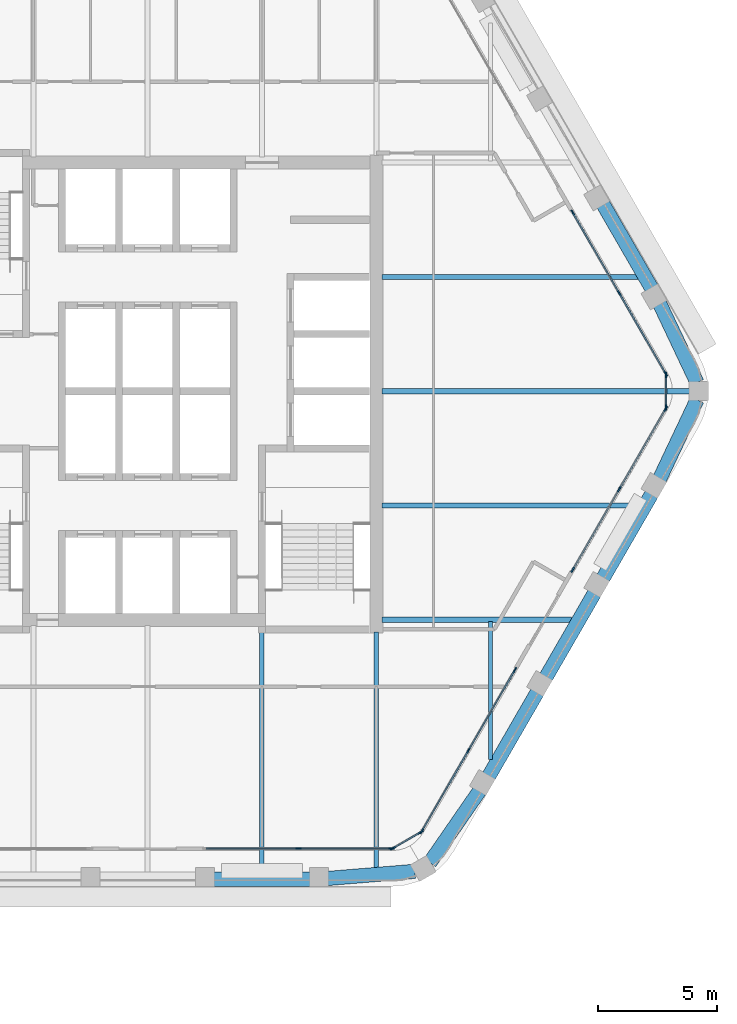
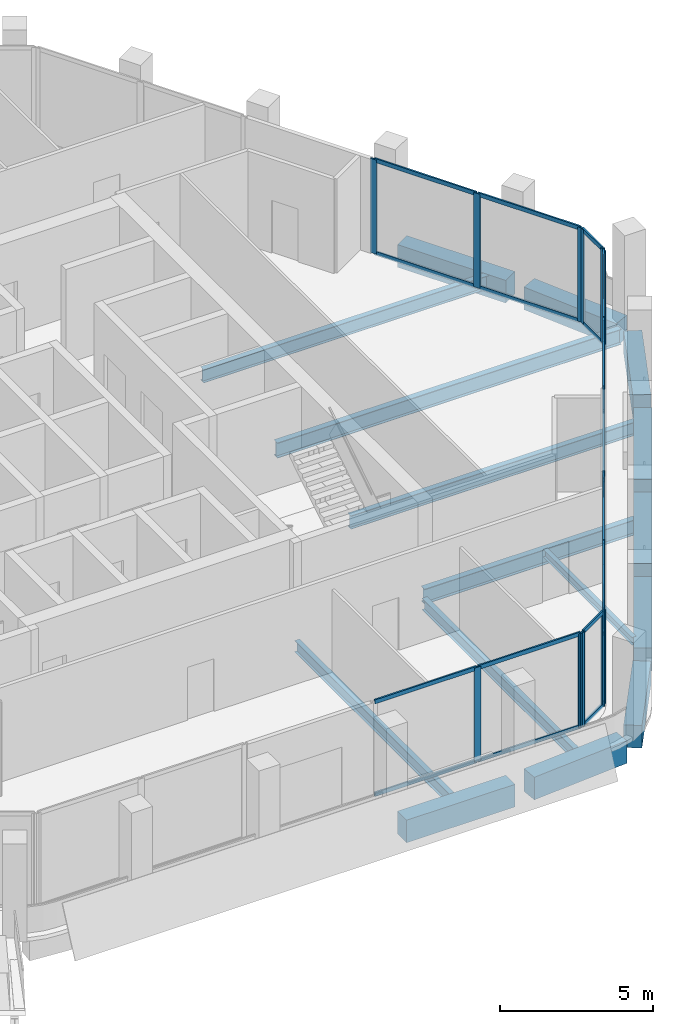
# One storey, part 4 of 15: 35 members, 16 beams, 6 elements without a shape of their own.
"""IFC4 building model written with IfcOpenShell, lengths in metres."""

from ifc_helpers import new_model, si_unit, direction, frame, origin, origin_2d, place, context, subcontext, project, spatial, rectangle, i_section, extrude, material, material_profile, profile_set, type_object, element, aggregate, save


model = new_model("IFC4")

# Units and contexts
model_context = context("Model", 3, precision=1e-05, world=origin(), true_north=direction((0.0, 1.0)))
body_context = subcontext(model_context, "Body", "Model", "MODEL_VIEW")
ifc_project = project(units=[si_unit("LENGTHUNIT", "METRE"), si_unit("AREAUNIT", "SQUARE_METRE"), si_unit("VOLUMEUNIT", "CUBIC_METRE"), si_unit("PLANEANGLEUNIT", "RADIAN"), si_unit("MASSUNIT", "GRAM", prefix="KILO")], contexts=[model_context])

# Site, building, storey
site_placement = place(None, origin())
site = spatial("IfcSite", under=ifc_project, at=site_placement, CompositionType="ELEMENT")
building_placement = place(site_placement, origin())
building = spatial("IfcBuilding", under=site, at=building_placement, Name="Kolab Exchange Tower", CompositionType="ELEMENT")
storey_placement = place(building_placement, frame((0.0, 0.0, 238.39990234375)))
storey = spatial("IfcBuildingStorey", under=building, at=storey_placement, Name="L52", CompositionType="ELEMENT", Elevation=238.39990234375)

# Beams
ifc_material_1 = material(Name="Steel S355", Category="steel")
ifc_material_profile_1 = material_profile(ifc_material_1, i_section(OverallWidth=0.1650390625, OverallDepth=0.31005859375, WebThickness=0.005859375, FlangeThickness=0.009765625, at=origin_2d()), Name="W310X39")
ifc_profile_set_1 = profile_set([ifc_material_profile_1], Name="Steel S355")
beam_type_1 = type_object("IfcBeamType", Name="FLOOR BEAM W310X39", PredefinedType="BEAM", material=ifc_profile_set_1)
beam_1_placement = place(storey_placement, frame((14.39990234375, -15.4677734375, -0.304931640625), z_axis=(0.0, 1.0, 0.0), x_axis=(-1.0, 0.0, 0.0)))
element("IfcBeam", 1, at=beam_1_placement, inside=storey, type_object=beam_type_1, Name="beam/L52/fr/023", PredefinedType="BEAM", context=body_context, shape_type="SweptSolid", body=[
    extrude(i_section(OverallWidth=0.1650390625, OverallDepth=0.31005859375, WebThickness=0.005859375, FlangeThickness=0.009765625, at=origin_2d()), origin(), (0.0, 0.0, 1.0), 5.793701171875),
])
ifc_material_profile_2 = material_profile(ifc_material_1, i_section(OverallWidth=0.18994140625, OverallDepth=0.45703125, WebThickness=0.009033203125, FlangeThickness=0.014404296875, at=origin_2d()), Name="W460X74")
ifc_profile_set_2 = profile_set([ifc_material_profile_2], Name="Steel S355")
beam_type_2 = type_object("IfcBeamType", Name="FLOOR BEAM W460X74", PredefinedType="BEAM", material=ifc_profile_set_2)
beam_2_placement = place(storey_placement, frame((4.800048828125, -20.224609375, -0.37841796875), z_axis=(0.0, 1.0, 0.0), x_axis=(-1.0, 0.0, 0.0)))
element("IfcBeam", 2, at=beam_2_placement, inside=storey, type_object=beam_type_2, Name="beam/L52/fr/016", PredefinedType="BEAM", context=body_context, shape_type="SweptSolid", body=[
    extrude(i_section(OverallWidth=0.18994140625, OverallDepth=0.45703125, WebThickness=0.009033203125, FlangeThickness=0.014404296875, at=origin_2d()), origin(), (0.0, 0.0, 1.0), 10.114501953125),
])
beam_3_placement = place(storey_placement, frame((9.60009765625, -20.027099609375, -0.37841796875), z_axis=(0.0, 1.0, 0.0), x_axis=(-1.0, 0.0, 0.0)))
element("IfcBeam", 3, at=beam_3_placement, inside=storey, type_object=beam_type_2, Name="beam/L52/fr/018", PredefinedType="BEAM", context=body_context, shape_type="SweptSolid", body=[
    extrude(i_section(OverallWidth=0.18994140625, OverallDepth=0.45703125, WebThickness=0.009033203125, FlangeThickness=0.014404296875, at=origin_2d()), origin(), (0.0, 0.0, 1.0), 9.9169921875),
])
ifc_material_profile_3 = material_profile(ifc_material_1, i_section(OverallWidth=0.208984375, OverallDepth=0.532958984375, WebThickness=0.01025390625, FlangeThickness=0.015625, at=origin_2d()), Name="W530X92")
ifc_profile_set_3 = profile_set([ifc_material_profile_3], Name="Steel S355")
beam_type_3 = type_object("IfcBeamType", Name="FLOOR BEAM W530X92", PredefinedType="BEAM", material=ifc_profile_set_3)
for number, where, z_axis, x_axis, name in (
    (4, (9.8349609375, -4.800048828125, -0.41650390625), (1.0, 0.0, 0.0), (0.0, 1.0, 0.0), "beam/L52/fr/020"),
    (5, (9.8349609375, 4.800048828125, -0.41650390625), (1.0, 0.0, 0.0), (0.0, 1.0, 0.0), "beam/L52/fr/022"),
):
    element("IfcBeam", number, at=place(storey_placement, frame(where, z_axis=z_axis, x_axis=x_axis)), inside=storey, type_object=beam_type_3, Name=name, PredefinedType="BEAM", context=body_context, shape_type="SweptSolid", body=[
        extrude(i_section(OverallWidth=0.208984375, OverallDepth=0.532958984375, WebThickness=0.01025390625, FlangeThickness=0.015625, at=origin_2d()), origin(), (0.0, 0.0, 1.0), 10.740966796875),
    ])
ifc_material_profile_4 = material_profile(ifc_material_1, i_section(OverallWidth=0.22802734375, OverallDepth=0.60791015625, WebThickness=0.01123046875, FlangeThickness=0.017333984375, at=origin_2d()), Name="W610X113")
ifc_profile_set_4 = profile_set([ifc_material_profile_4], Name="Steel S355")
beam_type_4 = type_object("IfcBeamType", Name="FLOOR BEAM W610X113", PredefinedType="BEAM", material=ifc_profile_set_4)
beam_4_placement = place(storey_placement, frame((9.8349609375, 0.0, -0.453857421875), z_axis=(1.0, 0.0, 0.0), x_axis=(0.0, 1.0, 0.0)))
element("IfcBeam", 6, at=beam_4_placement, inside=storey, type_object=beam_type_4, Name="beam/L52/fr/021", PredefinedType="BEAM", context=body_context, shape_type="SweptSolid", body=[
    extrude(i_section(OverallWidth=0.22802734375, OverallDepth=0.60791015625, WebThickness=0.01123046875, FlangeThickness=0.017333984375, at=origin_2d()), origin(), (0.0, 0.0, 1.0), 12.94091796875),
])
ifc_material_profile_5 = material_profile(ifc_material_1, i_section(OverallWidth=0.22802734375, OverallDepth=0.60791015625, WebThickness=0.01123046875, FlangeThickness=0.017333984375, at=origin_2d()), Name="W610X113")
ifc_profile_set_5 = profile_set([ifc_material_profile_5], Name="Steel S355")
beam_type_5 = type_object("IfcBeamType", Name="FLOOR GIRDER W610X113", PredefinedType="BEAM", material=ifc_profile_set_5)
beam_5_placement = place(storey_placement, frame((9.8349609375, -9.60009765625, -0.453857421875), z_axis=(1.0, 0.0, 0.0), x_axis=(0.0, 1.0, 0.0)))
element("IfcBeam", 7, at=beam_5_placement, inside=storey, type_object=beam_type_5, Name="beam/L52/gd/002", PredefinedType="BEAM", context=body_context, shape_type="SweptSolid", body=[
    extrude(i_section(OverallWidth=0.22802734375, OverallDepth=0.60791015625, WebThickness=0.01123046875, FlangeThickness=0.017333984375, at=origin_2d()), origin(), (0.0, 0.0, 1.0), 7.9697265625),
])
ifc_material_2 = material(Name="Concrete C50/60", Category="concrete")
ifc_material_profile_6 = material_profile(ifc_material_2, rectangle(XDim=0.60009765625, YDim=0.89990234375, at=origin_2d()), Name="RC600X900")
ifc_profile_set_6 = profile_set([ifc_material_profile_6], Name="Concrete C50/60")
beam_type_6 = type_object("IfcBeamType", Name="SPANDREL BEAM 600X900 C50/60", PredefinedType="BEAM", material=ifc_profile_set_6)
beam_6_placement = place(storey_placement, frame((19.1201171875, 7.85205078125, -0.599853515625), z_axis=(0.500000428765, -0.866025156237, 0.0), x_axis=(0.866025156237, 0.500000428765, 0.0)))
element("IfcBeam", 8, at=beam_6_placement, inside=storey, type_object=beam_type_6, Name="beam/L52/sp/F2-04", PredefinedType="BEAM", context=body_context, shape_type="SweptSolid", body=[
    extrude(rectangle(XDim=0.60009765625, YDim=0.89990234375, at=origin_2d()), origin(), (0.0, 0.0, 1.0), 4.080078125),
])
for number, where, z_axis, x_axis, name in (
    (9, (21.49462890625, 3.68017578125, -0.599853515625), (0.427677251998, -0.903931506323, 0.0), (0.903931506323, 0.427677251998, 0.0), "beam/L52/sp/F2-05"),
    (10, (23.063720703125, -0.36376953125, -0.599853515625), (-0.427677251998, -0.903931506323, 0.0), (0.903931506323, -0.427677251998, 0.0), "beam/L52/sp/F3-01"),
):
    element("IfcBeam", number, at=place(storey_placement, frame(where, z_axis=z_axis, x_axis=x_axis)), inside=storey, type_object=beam_type_6, Name=name, PredefinedType="BEAM", context=body_context, shape_type="SweptSolid", body=[
        extrude(rectangle(XDim=0.60009765625, YDim=0.89990234375, at=origin_2d()), origin(), (0.0, 0.0, 1.0), 3.6689453125),
    ])
for number, where, z_axis, x_axis, name in (
    (11, (21.16015625, -4.318603515625, -0.599853515625), (-0.500000428765, -0.866025156237, 0.0), (0.866025156237, -0.500000428765, 0.0), "beam/L52/sp/F3-02"),
    (12, (18.76025390625, -8.4755859375, -0.599853515625), (-0.500000428765, -0.866025156237, 0.0), (0.866025156237, -0.500000428765, 0.0), "beam/L52/sp/F3-03"),
):
    element("IfcBeam", number, at=place(storey_placement, frame(where, z_axis=z_axis, x_axis=x_axis)), inside=storey, type_object=beam_type_6, Name=name, PredefinedType="BEAM", context=body_context, shape_type="SweptSolid", body=[
        extrude(rectangle(XDim=0.60009765625, YDim=0.89990234375, at=origin_2d()), origin(), (0.0, 0.0, 1.0), 4.080078125),
    ])
beam_7_placement = place(storey_placement, frame((16.360107421875, -12.632568359375, -0.599853515625), z_axis=(-0.499955548806, -0.866051066172, 0.0), x_axis=(0.866051066172, -0.499955548806, 0.0)))
element("IfcBeam", 13, at=beam_7_placement, inside=storey, type_object=beam_type_6, Name="beam/L52/sp/F3-04", PredefinedType="BEAM", context=body_context, shape_type="SweptSolid", body=[
    extrude(rectangle(XDim=0.60009765625, YDim=0.89990234375, at=origin_2d()), origin(), (0.0, 0.0, 1.0), 4.079833984375),
])
for number, where, z_axis, x_axis, name in (
    (14, (13.9345703125, -16.77490234375, -0.599853515625), (-0.569005808573, -0.822333502789, 0.0), (0.822333502789, -0.569005808573, 0.0), "beam/L52/sp/F3-05"),
    (15, (11.216796875, -20.15576171875, -0.599853515625), (-0.996666751878, -0.081580547323, 0.0), (0.081580547323, -0.996666751878, 0.0), "beam/L52/sp/F4-01"),
):
    element("IfcBeam", number, at=place(storey_placement, frame(where, z_axis=z_axis, x_axis=x_axis)), inside=storey, type_object=beam_type_6, Name=name, PredefinedType="BEAM", context=body_context, shape_type="SweptSolid", body=[
        extrude(rectangle(XDim=0.60009765625, YDim=0.89990234375, at=origin_2d()), origin(), (0.0, 0.0, 1.0), 3.6689453125),
    ])
beam_8_placement = place(storey_placement, frame((6.840087890625, -20.484619140625, -0.599853515625), z_axis=(-1.0, 0.0, 0.0), x_axis=(0.0, -1.0, 0.0)))
element("IfcBeam", 16, at=beam_8_placement, inside=storey, type_object=beam_type_6, Name="beam/L52/sp/F4-02", PredefinedType="BEAM", context=body_context, shape_type="SweptSolid", body=[
    extrude(rectangle(XDim=0.60009765625, YDim=0.89990234375, at=origin_2d()), origin(), (0.0, 0.0, 1.0), 4.080078125),
])

# Curtain wall, members
ifc_material_3 = material(Name="Aluminium EN AW-6063 T6", Category="aluminium")
curtain_wall_type = type_object("IfcCurtainWallType", Name="UNITISED HIGH ZONE CURTAIN WALL", PredefinedType="NOTDEFINED", material=ifc_material_3)
curtain_wall_1_placement = place(storey_placement, origin())
curtain_wall_1 = element("IfcCurtainWall", 17, at=curtain_wall_1_placement, inside=storey, type_object=curtain_wall_type, Name="cw/L52/F2-2", PredefinedType="NOTDEFINED")
ifc_material_profile_7 = material_profile(ifc_material_3, rectangle(XDim=0.06005859375, YDim=0.239990234375, at=origin_2d()), Name="RECT 60X240")
ifc_profile_set_7 = profile_set([ifc_material_profile_7], Name="Aluminium EN AW-6063 T6")
member_type_1 = type_object("IfcMemberType", Name="UNITISED HIGH ZONE MULLION 60 X 240", PredefinedType="MULLION", material=ifc_profile_set_7)
member_1_placement = place(storey_placement, frame((17.8466796875, 7.497802734375, 0.0), z_axis=(0.0, 0.0, 1.0), x_axis=(0.866025440524, 0.499999936366, 0.0)))
member_1 = element("IfcMember", 18, at=member_1_placement, type_object=member_type_1, Name="CW4 mullion 1", PredefinedType="MULLION", context=body_context, shape_type="SweptSolid", body=[
    extrude(rectangle(XDim=0.06005859375, YDim=0.239990234375, at=origin_2d()), origin(), (0.0, 0.0, 1.0), 3.75),
])
member_2_placement = place(storey_placement, frame((19.798583984375, 4.116943359375, 0.0), z_axis=(0.0, 0.0, 1.0), x_axis=(0.866025440524, 0.499999936366, 0.0)))
member_2 = element("IfcMember", 19, at=member_2_placement, type_object=member_type_1, Name="CW4 mullion 2", PredefinedType="MULLION", context=body_context, shape_type="SweptSolid", body=[
    extrude(rectangle(XDim=0.06005859375, YDim=0.239990234375, at=origin_2d()), origin(), (0.0, 0.0, 1.0), 3.75),
])
member_3_placement = place(storey_placement, frame((21.750732421875, 0.736083984375, 0.0), z_axis=(0.0, 0.0, 1.0), x_axis=(0.866025440524, 0.499999936366, 0.0)))
member_3 = element("IfcMember", 20, at=member_3_placement, type_object=member_type_1, Name="CW4 mullion 3", PredefinedType="MULLION", context=body_context, shape_type="SweptSolid", body=[
    extrude(rectangle(XDim=0.06005859375, YDim=0.239990234375, at=origin_2d()), origin(), (0.0, 0.0, 1.0), 3.75),
])

curtain_wall_2_placement = place(storey_placement, origin())
curtain_wall_2 = element("IfcCurtainWall", 21, at=curtain_wall_2_placement, inside=storey, type_object=curtain_wall_type, Name="cw/L52/F3-1", PredefinedType="NOTDEFINED")
member_4_placement = place(storey_placement, frame((21.750732421875, -0.736083984375, 0.0), z_axis=(0.0, 0.0, 1.0), x_axis=(0.866025440524, -0.499999936366, 0.0)))
member_4 = element("IfcMember", 22, at=member_4_placement, type_object=member_type_1, Name="CW4 mullion 1", PredefinedType="MULLION", context=body_context, shape_type="SweptSolid", body=[
    extrude(rectangle(XDim=0.06005859375, YDim=0.239990234375, at=origin_2d()), origin(), (0.0, 0.0, 1.0), 3.75),
])
member_5_placement = place(storey_placement, frame((19.798583984375, -4.116943359375, 0.0), z_axis=(0.0, 0.0, 1.0), x_axis=(0.866025440524, -0.499999936366, 0.0)))
member_5 = element("IfcMember", 23, at=member_5_placement, type_object=member_type_1, Name="CW4 mullion 2", PredefinedType="MULLION", context=body_context, shape_type="SweptSolid", body=[
    extrude(rectangle(XDim=0.06005859375, YDim=0.239990234375, at=origin_2d()), origin(), (0.0, 0.0, 1.0), 3.75),
])
member_6_placement = place(storey_placement, frame((17.8466796875, -7.497802734375, 0.0), z_axis=(0.0, 0.0, 1.0), x_axis=(0.866025440524, -0.499999936366, 0.0)))
member_6 = element("IfcMember", 24, at=member_6_placement, type_object=member_type_1, Name="CW4 mullion 3", PredefinedType="MULLION", context=body_context, shape_type="SweptSolid", body=[
    extrude(rectangle(XDim=0.06005859375, YDim=0.239990234375, at=origin_2d()), origin(), (0.0, 0.0, 1.0), 3.75),
])

curtain_wall_3_placement = place(storey_placement, origin())
curtain_wall_3 = element("IfcCurtainWall", 25, at=curtain_wall_3_placement, inside=storey, type_object=curtain_wall_type, Name="cw/L52/F3-2", PredefinedType="NOTDEFINED")
member_7_placement = place(storey_placement, frame((15.416748046875, -11.706787109375, 0.0), z_axis=(0.0, 0.0, 1.0), x_axis=(0.866025385493, -0.500000031681, 0.0)))
member_7 = element("IfcMember", 26, at=member_7_placement, type_object=member_type_1, Name="CW4 mullion 1", PredefinedType="MULLION", context=body_context, shape_type="SweptSolid", body=[
    extrude(rectangle(XDim=0.06005859375, YDim=0.239990234375, at=origin_2d()), origin(), (0.0, 0.0, 1.0), 3.75),
])
member_8_placement = place(storey_placement, frame((13.464599609375, -15.087646484375, 0.0), z_axis=(0.0, 0.0, 1.0), x_axis=(0.866025385493, -0.500000031681, 0.0)))
member_8 = element("IfcMember", 27, at=member_8_placement, type_object=member_type_1, Name="CW4 mullion 2", PredefinedType="MULLION", context=body_context, shape_type="SweptSolid", body=[
    extrude(rectangle(XDim=0.06005859375, YDim=0.239990234375, at=origin_2d()), origin(), (0.0, 0.0, 1.0), 3.75),
])
member_9_placement = place(storey_placement, frame((11.5126953125, -18.46875, 0.0), z_axis=(0.0, 0.0, 1.0), x_axis=(0.866025385493, -0.500000031681, 0.0)))
member_9 = element("IfcMember", 28, at=member_9_placement, type_object=member_type_1, Name="CW4 mullion 3", PredefinedType="MULLION", context=body_context, shape_type="SweptSolid", body=[
    extrude(rectangle(XDim=0.06005859375, YDim=0.239990234375, at=origin_2d()), origin(), (0.0, 0.0, 1.0), 3.75),
])

curtain_wall_4_placement = place(storey_placement, origin())
curtain_wall_4 = element("IfcCurtainWall", 29, at=curtain_wall_4_placement, inside=storey, type_object=curtain_wall_type, Name="cw/L52/F4-1", PredefinedType="NOTDEFINED")
member_10_placement = place(storey_placement, frame((10.238037109375, -19.20458984375, 0.0), z_axis=(0.0, 0.0, 1.0), x_axis=(0.0, -1.0, 0.0)))
member_10 = element("IfcMember", 30, at=member_10_placement, type_object=member_type_1, Name="CW4 mullion 1", PredefinedType="MULLION", context=body_context, shape_type="SweptSolid", body=[
    extrude(rectangle(XDim=0.06005859375, YDim=0.239990234375, at=origin_2d()), origin(), (0.0, 0.0, 1.0), 3.75),
])
member_11_placement = place(storey_placement, frame((6.333984375, -19.20458984375, 0.0), z_axis=(0.0, 0.0, 1.0), x_axis=(0.0, -1.0, 0.0)))
member_11 = element("IfcMember", 31, at=member_11_placement, type_object=member_type_1, Name="CW4 mullion 2", PredefinedType="MULLION", context=body_context, shape_type="SweptSolid", body=[
    extrude(rectangle(XDim=0.06005859375, YDim=0.239990234375, at=origin_2d()), origin(), (0.0, 0.0, 1.0), 3.75),
])

curtain_wall_5_placement = place(storey_placement, origin())
curtain_wall_5 = element("IfcCurtainWall", 32, at=curtain_wall_5_placement, inside=storey, type_object=curtain_wall_type, Name="cw/L52/F2F3-corner", PredefinedType="NOTDEFINED")
member_12_placement = place(storey_placement, frame((21.765625, 0.679931640625, 0.0), z_axis=(0.0, 0.0, 1.0), x_axis=(1.0, 0.0, 0.0)))
member_12 = element("IfcMember", 33, at=member_12_placement, type_object=member_type_1, Name="CW4 mullion 1", PredefinedType="MULLION", context=body_context, shape_type="SweptSolid", body=[
    extrude(rectangle(XDim=0.06005859375, YDim=0.239990234375, at=origin_2d()), origin(), (0.0, 0.0, 1.0), 3.75),
])
member_13_placement = place(storey_placement, frame((21.765625, -0.679931640625, 0.0), z_axis=(0.0, 0.0, 1.0), x_axis=(1.0, 0.0, 0.0)))
member_13 = element("IfcMember", 34, at=member_13_placement, type_object=member_type_1, Name="CW4 mullion 2", PredefinedType="MULLION", context=body_context, shape_type="SweptSolid", body=[
    extrude(rectangle(XDim=0.06005859375, YDim=0.239990234375, at=origin_2d()), origin(), (0.0, 0.0, 1.0), 3.75),
])

curtain_wall_6_placement = place(storey_placement, origin())
curtain_wall_6 = element("IfcCurtainWall", 35, at=curtain_wall_6_placement, inside=storey, type_object=curtain_wall_type, Name="cw/L52/F3F4-corner", PredefinedType="NOTDEFINED")
member_14_placement = place(storey_placement, frame((11.4716796875, -18.509521484375, 0.0), z_axis=(0.0, 0.0, 1.0), x_axis=(0.50000002237, -0.866025390869, 0.0)))
member_14 = element("IfcMember", 36, at=member_14_placement, type_object=member_type_1, Name="CW4 mullion 1", PredefinedType="MULLION", context=body_context, shape_type="SweptSolid", body=[
    extrude(rectangle(XDim=0.06005859375, YDim=0.239990234375, at=origin_2d()), origin(), (0.0, 0.0, 1.0), 3.75),
])
member_15_placement = place(storey_placement, frame((10.2939453125, -19.189697265625, 0.0), z_axis=(0.0, 0.0, 1.0), x_axis=(0.50000002237, -0.866025390869, 0.0)))
member_15 = element("IfcMember", 37, at=member_15_placement, type_object=member_type_1, Name="CW4 mullion 2", PredefinedType="MULLION", context=body_context, shape_type="SweptSolid", body=[
    extrude(rectangle(XDim=0.06005859375, YDim=0.239990234375, at=origin_2d()), origin(), (0.0, 0.0, 1.0), 3.75),
])

# Member
ifc_material_profile_8 = material_profile(ifc_material_3, rectangle(XDim=0.06005859375, YDim=0.159912109375, at=origin_2d()), Name="RECT 60X160")
ifc_profile_set_8 = profile_set([ifc_material_profile_8], Name="Aluminium EN AW-6063 T6")
member_type_2 = type_object("IfcMemberType", Name="UNITISED HIGH ZONE TRANSOM 60 X 160", PredefinedType="USERDEFINED", material=ifc_profile_set_8)
member_16_placement = place(storey_placement, frame((17.861572265625, 7.471923828125, 0.030029296875), z_axis=(0.500011990396, -0.866018481016, 0.0), x_axis=(0.866018481016, 0.500011990396, 0.0)))
member_16 = element("IfcMember", 38, at=member_16_placement, type_object=member_type_2, Name="CW4 transom 1.1", ObjectType="TRANSOM", PredefinedType="USERDEFINED", context=body_context, shape_type="SweptSolid", body=[
    extrude(rectangle(XDim=0.06005859375, YDim=0.159912109375, at=origin_2d()), origin(), (0.0, 0.0, 1.0), 3.84423828125),
])

member_17_placement = place(storey_placement, frame((17.861572265625, 7.471923828125, 3.72021484375), z_axis=(0.500011990396, -0.866018481016, 0.0), x_axis=(0.866018481016, 0.500011990396, 0.0)))
member_17 = element("IfcMember", 39, at=member_17_placement, type_object=member_type_2, Name="CW4 transom 1.2", ObjectType="TRANSOM", PredefinedType="USERDEFINED", context=body_context, shape_type="SweptSolid", body=[
    extrude(rectangle(XDim=0.06005859375, YDim=0.159912109375, at=origin_2d()), origin(), (0.0, 0.0, 1.0), 3.84423828125),
])

member_18_placement = place(storey_placement, frame((19.813720703125, 4.0908203125, 0.030029296875), z_axis=(0.499991857942, -0.866030104553, 0.0), x_axis=(0.866030104553, 0.499991857942, 0.0)))
member_18 = element("IfcMember", 40, at=member_18_placement, type_object=member_type_2, Name="CW4 transom 2.1", ObjectType="TRANSOM", PredefinedType="USERDEFINED", context=body_context, shape_type="SweptSolid", body=[
    extrude(rectangle(XDim=0.06005859375, YDim=0.159912109375, at=origin_2d()), origin(), (0.0, 0.0, 1.0), 3.84375),
])

member_19_placement = place(storey_placement, frame((19.813720703125, 4.0908203125, 3.72021484375), z_axis=(0.499991857942, -0.866030104553, 0.0), x_axis=(0.866030104553, 0.499991857942, 0.0)))
member_19 = element("IfcMember", 41, at=member_19_placement, type_object=member_type_2, Name="CW4 transom 2.2", ObjectType="TRANSOM", PredefinedType="USERDEFINED", context=body_context, shape_type="SweptSolid", body=[
    extrude(rectangle(XDim=0.06005859375, YDim=0.159912109375, at=origin_2d()), origin(), (0.0, 0.0, 1.0), 3.84375),
])

aggregate(curtain_wall_1, [member_1, member_2, member_3, member_16, member_17, member_18, member_19])

member_20_placement = place(storey_placement, frame((21.735595703125, -0.761962890625, 0.030029296875), z_axis=(-0.499991857942, -0.866030104553, 0.0), x_axis=(0.866030104553, -0.499991857942, 0.0)))
member_20 = element("IfcMember", 42, at=member_20_placement, type_object=member_type_2, Name="CW4 transom 1.1", ObjectType="TRANSOM", PredefinedType="USERDEFINED", context=body_context, shape_type="SweptSolid", body=[
    extrude(rectangle(XDim=0.06005859375, YDim=0.159912109375, at=origin_2d()), origin(), (0.0, 0.0, 1.0), 3.84375),
])

member_21_placement = place(storey_placement, frame((21.735595703125, -0.761962890625, 3.72021484375), z_axis=(-0.499991857942, -0.866030104553, 0.0), x_axis=(0.866030104553, -0.499991857942, 0.0)))
member_21 = element("IfcMember", 43, at=member_21_placement, type_object=member_type_2, Name="CW4 transom 1.2", ObjectType="TRANSOM", PredefinedType="USERDEFINED", context=body_context, shape_type="SweptSolid", body=[
    extrude(rectangle(XDim=0.06005859375, YDim=0.159912109375, at=origin_2d()), origin(), (0.0, 0.0, 1.0), 3.84375),
])

member_22_placement = place(storey_placement, frame((19.78369140625, -4.142822265625, 0.030029296875), z_axis=(-0.500011990396, -0.866018481016, 0.0), x_axis=(0.866018481016, -0.500011990396, 0.0)))
member_22 = element("IfcMember", 44, at=member_22_placement, type_object=member_type_2, Name="CW4 transom 2.1", ObjectType="TRANSOM", PredefinedType="USERDEFINED", context=body_context, shape_type="SweptSolid", body=[
    extrude(rectangle(XDim=0.06005859375, YDim=0.159912109375, at=origin_2d()), origin(), (0.0, 0.0, 1.0), 3.84423828125),
])

member_23_placement = place(storey_placement, frame((19.78369140625, -4.142822265625, 3.72021484375), z_axis=(-0.500011990396, -0.866018481016, 0.0), x_axis=(0.866018481016, -0.500011990396, 0.0)))
member_23 = element("IfcMember", 45, at=member_23_placement, type_object=member_type_2, Name="CW4 transom 2.2", ObjectType="TRANSOM", PredefinedType="USERDEFINED", context=body_context, shape_type="SweptSolid", body=[
    extrude(rectangle(XDim=0.06005859375, YDim=0.159912109375, at=origin_2d()), origin(), (0.0, 0.0, 1.0), 3.84423828125),
])

aggregate(curtain_wall_2, [member_4, member_5, member_6, member_20, member_21, member_22, member_23])

member_24_placement = place(storey_placement, frame((15.401611328125, -11.732666015625, 0.030029296875), z_axis=(-0.499964356602, -0.866045981532, 0.0), x_axis=(0.866045981532, -0.499964356602, 0.0)))
member_24 = element("IfcMember", 46, at=member_24_placement, type_object=member_type_2, Name="CW4 transom 1.1", ObjectType="TRANSOM", PredefinedType="USERDEFINED", context=body_context, shape_type="SweptSolid", body=[
    extrude(rectangle(XDim=0.06005859375, YDim=0.159912109375, at=origin_2d()), origin(), (0.0, 0.0, 1.0), 3.843994140625),
])

member_25_placement = place(storey_placement, frame((15.401611328125, -11.732666015625, 3.72021484375), z_axis=(-0.499964356602, -0.866045981532, 0.0), x_axis=(0.866045981532, -0.499964356602, 0.0)))
member_25 = element("IfcMember", 47, at=member_25_placement, type_object=member_type_2, Name="CW4 transom 1.2", ObjectType="TRANSOM", PredefinedType="USERDEFINED", context=body_context, shape_type="SweptSolid", body=[
    extrude(rectangle(XDim=0.06005859375, YDim=0.159912109375, at=origin_2d()), origin(), (0.0, 0.0, 1.0), 3.843994140625),
])

member_26_placement = place(storey_placement, frame((13.44970703125, -15.11376953125, 0.030029296875), z_axis=(-0.500039492609, -0.866002601515, 0.0), x_axis=(0.866002601515, -0.500039492609, 0.0)))
member_26 = element("IfcMember", 48, at=member_26_placement, type_object=member_type_2, Name="CW4 transom 2.1", ObjectType="TRANSOM", PredefinedType="USERDEFINED", context=body_context, shape_type="SweptSolid", body=[
    extrude(rectangle(XDim=0.06005859375, YDim=0.159912109375, at=origin_2d()), origin(), (0.0, 0.0, 1.0), 3.843994140625),
])

member_27_placement = place(storey_placement, frame((13.44970703125, -15.11376953125, 3.72021484375), z_axis=(-0.500039492609, -0.866002601515, 0.0), x_axis=(0.866002601515, -0.500039492609, 0.0)))
member_27 = element("IfcMember", 49, at=member_27_placement, type_object=member_type_2, Name="CW4 transom 2.2", ObjectType="TRANSOM", PredefinedType="USERDEFINED", context=body_context, shape_type="SweptSolid", body=[
    extrude(rectangle(XDim=0.06005859375, YDim=0.159912109375, at=origin_2d()), origin(), (0.0, 0.0, 1.0), 3.843994140625),
])

aggregate(curtain_wall_3, [member_7, member_8, member_9, member_24, member_25, member_26, member_27])

member_28_placement = place(storey_placement, frame((10.2080078125, -19.20458984375, 0.030029296875), z_axis=(-1.0, 0.0, 0.0), x_axis=(0.0, -1.0, 0.0)))
member_28 = element("IfcMember", 50, at=member_28_placement, type_object=member_type_2, Name="CW4 transom 1.1", ObjectType="TRANSOM", PredefinedType="USERDEFINED", context=body_context, shape_type="SweptSolid", body=[
    extrude(rectangle(XDim=0.06005859375, YDim=0.159912109375, at=origin_2d()), origin(), (0.0, 0.0, 1.0), 3.843994140625),
])

member_29_placement = place(storey_placement, frame((10.2080078125, -19.20458984375, 3.72021484375), z_axis=(-1.0, 0.0, 0.0), x_axis=(0.0, -1.0, 0.0)))
member_29 = element("IfcMember", 51, at=member_29_placement, type_object=member_type_2, Name="CW4 transom 1.2", ObjectType="TRANSOM", PredefinedType="USERDEFINED", context=body_context, shape_type="SweptSolid", body=[
    extrude(rectangle(XDim=0.06005859375, YDim=0.159912109375, at=origin_2d()), origin(), (0.0, 0.0, 1.0), 3.843994140625),
])

member_30_placement = place(storey_placement, frame((6.303955078125, -19.20458984375, 0.030029296875), z_axis=(-1.0, 0.0, 0.0), x_axis=(0.0, -1.0, 0.0)))
member_30 = element("IfcMember", 52, at=member_30_placement, type_object=member_type_2, Name="CW4 transom 2.1", ObjectType="TRANSOM", PredefinedType="USERDEFINED", context=body_context, shape_type="SweptSolid", body=[
    extrude(rectangle(XDim=0.06005859375, YDim=0.159912109375, at=origin_2d()), origin(), (0.0, 0.0, 1.0), 3.843994140625),
])

member_31_placement = place(storey_placement, frame((6.303955078125, -19.20458984375, 3.72021484375), z_axis=(-1.0, 0.0, 0.0), x_axis=(0.0, -1.0, 0.0)))
member_31 = element("IfcMember", 53, at=member_31_placement, type_object=member_type_2, Name="CW4 transom 2.2", ObjectType="TRANSOM", PredefinedType="USERDEFINED", context=body_context, shape_type="SweptSolid", body=[
    extrude(rectangle(XDim=0.06005859375, YDim=0.159912109375, at=origin_2d()), origin(), (0.0, 0.0, 1.0), 3.843994140625),
])

aggregate(curtain_wall_4, [member_10, member_11, member_28, member_29, member_30, member_31])

member_32_placement = place(storey_placement, frame((21.765625, 0.64990234375, 0.030029296875), z_axis=(0.0, -1.0, 0.0), x_axis=(1.0, 0.0, 0.0)))
member_32 = element("IfcMember", 54, at=member_32_placement, type_object=member_type_2, Name="CW4 transom 1.1", ObjectType="TRANSOM", PredefinedType="USERDEFINED", context=body_context, shape_type="SweptSolid", body=[
    extrude(rectangle(XDim=0.06005859375, YDim=0.159912109375, at=origin_2d()), origin(), (0.0, 0.0, 1.0), 1.2998046875),
])

member_33_placement = place(storey_placement, frame((21.765625, 0.64990234375, 3.72021484375), z_axis=(0.0, -1.0, 0.0), x_axis=(1.0, 0.0, 0.0)))
member_33 = element("IfcMember", 55, at=member_33_placement, type_object=member_type_2, Name="CW4 transom 1.2", ObjectType="TRANSOM", PredefinedType="USERDEFINED", context=body_context, shape_type="SweptSolid", body=[
    extrude(rectangle(XDim=0.06005859375, YDim=0.159912109375, at=origin_2d()), origin(), (0.0, 0.0, 1.0), 1.2998046875),
])

aggregate(curtain_wall_5, [member_12, member_13, member_32, member_33])

member_34_placement = place(storey_placement, frame((11.44580078125, -18.524658203125, 0.030029296875), z_axis=(-0.866085525409, -0.49989585183, 0.0), x_axis=(0.49989585183, -0.866085525409, 0.0)))
member_34 = element("IfcMember", 56, at=member_34_placement, type_object=member_type_2, Name="CW4 transom 1.1", ObjectType="TRANSOM", PredefinedType="USERDEFINED", context=body_context, shape_type="SweptSolid", body=[
    extrude(rectangle(XDim=0.06005859375, YDim=0.159912109375, at=origin_2d()), origin(), (0.0, 0.0, 1.0), 1.300048828125),
])

member_35_placement = place(storey_placement, frame((11.44580078125, -18.524658203125, 3.72021484375), z_axis=(-0.866085525409, -0.49989585183, 0.0), x_axis=(0.49989585183, -0.866085525409, 0.0)))
member_35 = element("IfcMember", 57, at=member_35_placement, type_object=member_type_2, Name="CW4 transom 1.2", ObjectType="TRANSOM", PredefinedType="USERDEFINED", context=body_context, shape_type="SweptSolid", body=[
    extrude(rectangle(XDim=0.06005859375, YDim=0.159912109375, at=origin_2d()), origin(), (0.0, 0.0, 1.0), 1.300048828125),
])

aggregate(curtain_wall_6, [member_14, member_15, member_34, member_35])

save(model, "model.ifc")
